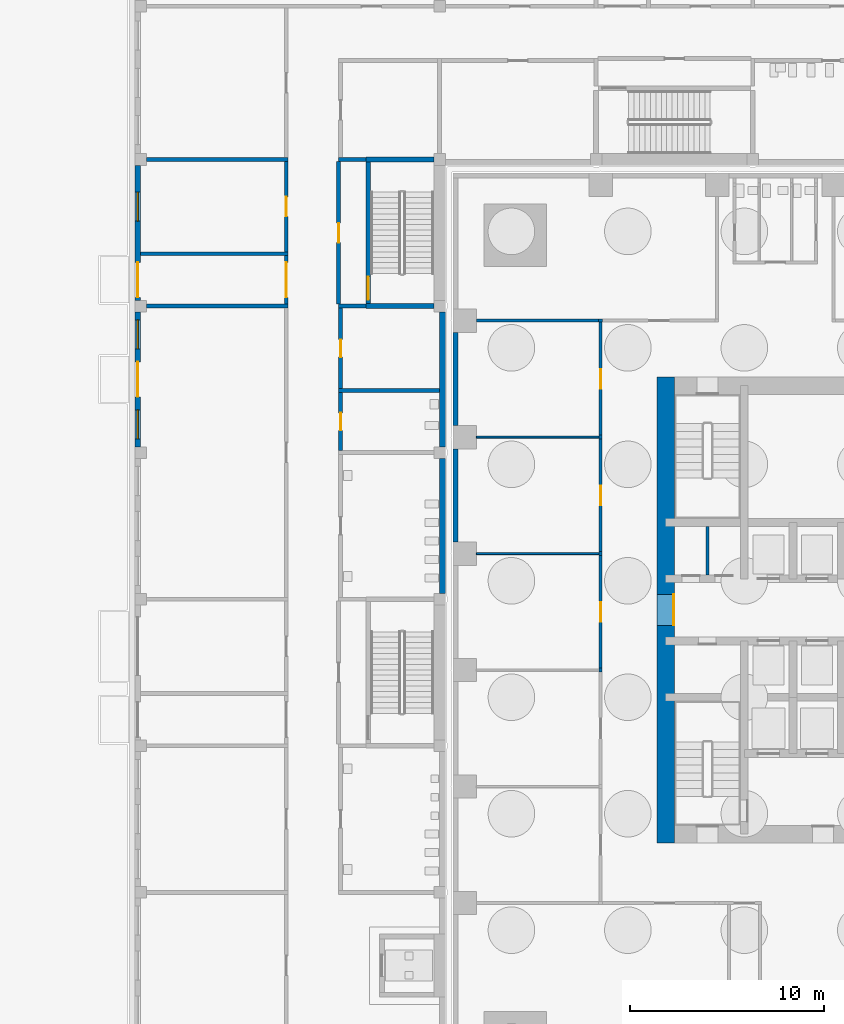
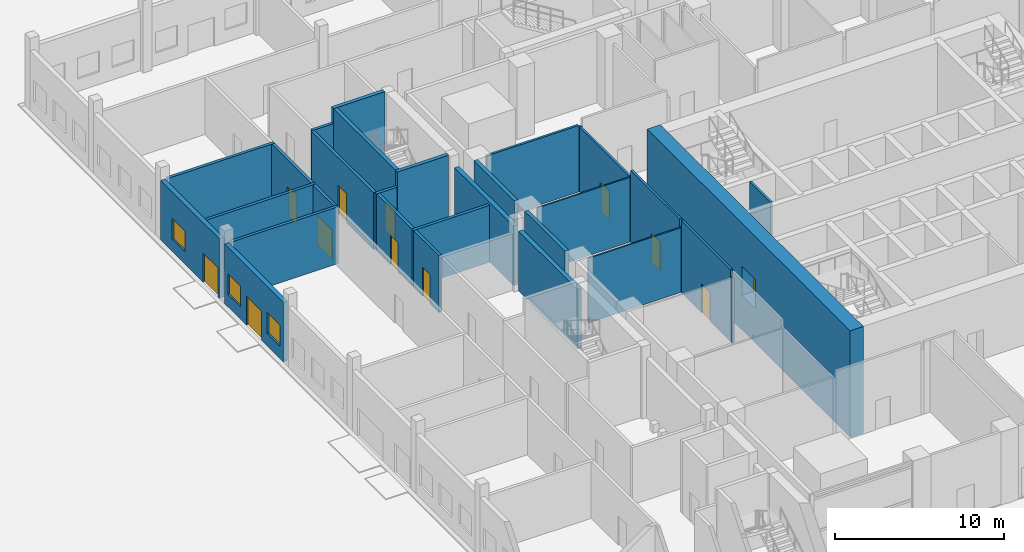
# One storey, part 13 of 33: 32 walls, 12 doors, 3 windows, 15 openings.
"""IFC4 building model written with IfcOpenShell, lengths in metres."""

from ifc_helpers import new_model, si_unit, direction, frame, frame_2d, origin, place, context, subcontext, project, spatial, rectangle, extrude, material, layer, layer_set, type_object, element, fill, save


model = new_model("IFC4")

# Units and contexts
model_context = context("Model", 3, precision=1e-05, world=origin(), true_north=direction((0.0, 1.0)))
body_context = subcontext(model_context, "Body", "Model", "MODEL_VIEW")
ifc_project = project(units=[si_unit("LENGTHUNIT", "METRE"), si_unit("AREAUNIT", "SQUARE_METRE"), si_unit("VOLUMEUNIT", "CUBIC_METRE"), si_unit("PLANEANGLEUNIT", "RADIAN"), si_unit("MASSUNIT", "GRAM", prefix="KILO")], contexts=[model_context])

# Site, building, storey
site_placement = place(None, origin())
site = spatial("IfcSite", under=ifc_project, at=site_placement, CompositionType="ELEMENT")
building_placement = place(site_placement, origin())
building = spatial("IfcBuilding", under=site, at=building_placement, Name="Amberfall Residences", CompositionType="ELEMENT")
storey_placement = place(building_placement, origin())
storey = spatial("IfcBuildingStorey", under=building, at=storey_placement, Name="L00", CompositionType="ELEMENT", Elevation=0.0)

# Wall, opening, door
ifc_material_1 = material(Name="Concrete C80", Category="concrete")
ifc_layer_1 = layer(ifc_material_1, 0.89990234375)
ifc_layer_set_1 = layer_set([ifc_layer_1], Name="Core wall 900 C80")
wall_type_1 = type_object("IfcWallType", Name="Core wall 900 C80", PredefinedType="SHEAR", material=ifc_layer_set_1)
wall_1_placement = place(storey_placement, frame((62.949951171875, 33.5, -2.5), z_axis=(0.0, 0.0, 1.0), x_axis=(0.0, 1.0, 0.0)))
wall_1 = element("IfcWall", 1, at=wall_1_placement, inside=storey, type_object=wall_type_1, Name="Core wall RW1 L00 OW", PredefinedType="SHEAR", context=body_context, shape_type="SweptSolid", body=[
    extrude(rectangle(XDim=24.0, YDim=0.89990234375, at=frame_2d((12.0, 0.0))), origin(), (0.0, 0.0, 1.0), 7.699951171875),
])
opening_1_placement = place(wall_1_placement, frame((11.199951171875, 0.0, 2.5)))
opening_1 = element("IfcOpeningElement", 2, at=opening_1_placement, cuts=wall_1, Name="Opening LB1", PredefinedType="OPENING", context=body_context, shape_type="SweptSolid", body=[
    extrude(rectangle(XDim=1.60009765625, YDim=2.10009765625, at=frame_2d((0.800048828125, 1.050048828125))), frame((0.0, 0.4599609375, 0.0), z_axis=(0.0, -1.0, 0.0), x_axis=(1.0, 0.0, 0.0)), (0.0, 0.0, 1.0), 0.919921875),
])
ifc_material_2 = material(Name="Steel fire door set", Category="steel")
door_type_1 = type_object("IfcDoorType", Name="Lift lobby double door 1600 x 2100", OperationType="DOUBLE_DOOR_SINGLE_SWING", PredefinedType="DOOR", material=ifc_material_2)
door_1_placement = place(opening_1_placement, origin())
door_1 = element("IfcDoor", 3, at=door_1_placement, inside=storey, type_object=door_type_1, Name="LB1 L00", OperationType="DOUBLE_DOOR_SINGLE_SWING", OverallHeight=2.10009765625, OverallWidth=1.60009765625, PredefinedType="DOOR", context=body_context, shape_type="SweptSolid", body=[
    extrude(rectangle(XDim=1.60009765625, YDim=2.10009765625, at=frame_2d((0.800048828125, 1.050048828125))), frame((0.0, -0.3876953125, 0.0), z_axis=(0.0, -1.0, 0.0), x_axis=(1.0, 0.0, 0.0)), (0.0, 0.0, 1.0), 0.050048828125),
])
fill(opening_1, door_1)

# Walls
ifc_material_3 = material(Name="Gypsum board on steel studs", Category="steel")
ifc_layer_2 = layer(ifc_material_3, 0.10009765625)
ifc_layer_set_2 = layer_set([ifc_layer_2], Name="Partition 100")
wall_type_2 = type_object("IfcWallType", Name="Partition 100", PredefinedType="PARTITIONING", material=ifc_layer_set_2)
for number, where, z_axis, x_axis, name in (
    (4, (53.199951171875, 48.39990234375, 0.0), (0.0, 0.0, 1.0), (1.0, 0.0, 0.0), "Partition 100 L00 003"),
    (5, (53.199951171875, 54.39990234375, 0.0), (0.0, 0.0, 1.0), (1.0, 0.0, 0.0), "Partition 100 L00 004"),
):
    element("IfcWall", number, at=place(storey_placement, frame(where, z_axis=z_axis, x_axis=x_axis)), inside=storey, type_object=wall_type_2, Name=name, PredefinedType="PARTITIONING", context=body_context, shape_type="SweptSolid", body=[
        extrude(rectangle(XDim=6.324951171875, YDim=0.10009765625, at=frame_2d((3.16259765625, 0.0))), origin(), (0.0, 0.0, 1.0), 4.6669921875),
    ])
ifc_material_4 = material(Name="Fire-rated gypsum board on steel studs", Category="steel")
ifc_layer_3 = layer(ifc_material_4, 0.14990234375)
ifc_layer_set_3 = layer_set([ifc_layer_3], Name="Partition 150 fire-rated")
wall_type_3 = type_object("IfcWallType", Name="Partition 150 fire-rated", PredefinedType="PARTITIONING", material=ifc_layer_set_3)
wall_2_placement = place(storey_placement, frame((53.199951171875, 60.39990234375, 0.0), z_axis=(0.0, 0.0, 1.0), x_axis=(1.0, 0.0, 0.0)))
element("IfcWall", 6, at=wall_2_placement, inside=storey, type_object=wall_type_3, Name="Partition 150 fire-rated L00 010", PredefinedType="PARTITIONING", context=body_context, shape_type="SweptSolid", body=[
    extrude(rectangle(XDim=6.280029296875, YDim=0.14990234375, at=frame_2d((3.14013671875, 0.0))), origin(), (0.0, 0.0, 1.0), 4.797119140625),
])
wall_3_placement = place(storey_placement, frame((59.49462890625, 60.39990234375, 0.0), z_axis=(0.0, 0.0, 1.0), x_axis=(1.0, 0.0, 0.0)))
element("IfcWall", 7, at=wall_3_placement, inside=storey, type_object=wall_type_3, Name="Partition 150 fire-rated L00 011", PredefinedType="PARTITIONING", context=body_context, shape_type="SweptSolid", body=[
    extrude(rectangle(XDim=0.210693359375, YDim=0.14990234375, at=frame_2d((0.10546875, 0.0))), origin(), (0.0, 0.0, 1.0), 4.659912109375),
])
wall_4_placement = place(storey_placement, frame((59.60009765625, 42.29541015625, 0.0), z_axis=(0.0, 0.0, 1.0), x_axis=(0.0, 1.0, 0.0)))
element("IfcWall", 8, at=wall_4_placement, inside=storey, type_object=wall_type_3, Name="Partition 150 fire-rated L00 026", PredefinedType="PARTITIONING", context=body_context, shape_type="SweptSolid", body=[
    extrude(rectangle(XDim=0.209228515625, YDim=0.14990234375, at=frame_2d((0.1044921875, 0.0))), origin(), (0.0, 0.0, 1.0), 4.6669921875),
])

# Wall, opening, door
wall_5_placement = place(storey_placement, frame((59.60009765625, 42.504638671875, 0.0), z_axis=(0.0, 0.0, 1.0), x_axis=(0.0, 1.0, 0.0)))
wall_5 = element("IfcWall", 9, at=wall_5_placement, inside=storey, type_object=wall_type_3, Name="Partition 150 fire-rated L00 027", PredefinedType="PARTITIONING", context=body_context, shape_type="SweptSolid", body=[
    extrude(rectangle(XDim=5.790771484375, YDim=0.14990234375, at=frame_2d((2.8955078125, 0.0))), origin(), (0.0, 0.0, 1.0), 5.199951171875),
])
opening_2_placement = place(wall_5_placement, frame((2.3955078125, 0.0, 0.0)))
opening_2 = element("IfcOpeningElement", 10, at=opening_2_placement, cuts=wall_5, Name="Opening D2", PredefinedType="OPENING", context=body_context, shape_type="SweptSolid", body=[
    extrude(rectangle(XDim=1.0, YDim=2.10009765625, at=frame_2d((0.5, 1.050048828125))), frame((0.0, 0.0849609375, 0.0), z_axis=(0.0, -1.0, 0.0), x_axis=(1.0, 0.0, 0.0)), (0.0, 0.0, 1.0), 0.169921875),
])
ifc_material_5 = material(Name="Steel fire door leaf", Category="steel")
door_type_2 = type_object("IfcDoorType", Name="Fire door 1000x2100 FD30S", OperationType="SINGLE_SWING_LEFT", PredefinedType="DOOR", material=ifc_material_5)
door_2_placement = place(opening_2_placement, origin())
door_2 = element("IfcDoor", 11, at=door_2_placement, inside=storey, type_object=door_type_2, Name="Door Cleaner's store", OperationType="SINGLE_SWING_LEFT", OverallHeight=2.10009765625, OverallWidth=1.0, PredefinedType="DOOR", context=body_context, shape_type="SweptSolid", body=[
    extrude(rectangle(XDim=1.0, YDim=2.10009765625, at=frame_2d((0.5, 1.050048828125))), frame((0.0, 0.02490234375, 0.0), z_axis=(0.0, -1.0, 0.0), x_axis=(1.0, 0.0, 0.0)), (0.0, 0.0, 1.0), 0.050048828125),
])
fill(opening_2, door_2)

# Wall
wall_6_placement = place(storey_placement, frame((59.60009765625, 48.29541015625, 0.0), z_axis=(0.0, 0.0, 1.0), x_axis=(0.0, 1.0, 0.0)))
element("IfcWall", 12, at=wall_6_placement, inside=storey, type_object=wall_type_3, Name="Partition 150 fire-rated L00 028", PredefinedType="PARTITIONING", context=body_context, shape_type="SweptSolid", body=[
    extrude(rectangle(XDim=0.209228515625, YDim=0.14990234375, at=frame_2d((0.1044921875, 0.0))), origin(), (0.0, 0.0, 1.0), 4.6669921875),
])

# Wall, opening, door
wall_7_placement = place(storey_placement, frame((59.60009765625, 48.504638671875, 0.0), z_axis=(0.0, 0.0, 1.0), x_axis=(0.0, 1.0, 0.0)))
wall_7 = element("IfcWall", 13, at=wall_7_placement, inside=storey, type_object=wall_type_3, Name="Partition 150 fire-rated L00 029", PredefinedType="PARTITIONING", context=body_context, shape_type="SweptSolid", body=[
    extrude(rectangle(XDim=5.790771484375, YDim=0.14990234375, at=frame_2d((2.8955078125, 0.0))), origin(), (0.0, 0.0, 1.0), 5.199951171875),
])
opening_3_placement = place(wall_7_placement, frame((2.3955078125, 0.0, 0.0)))
opening_3 = element("IfcOpeningElement", 14, at=opening_3_placement, cuts=wall_7, Name="Opening D2", PredefinedType="OPENING", context=body_context, shape_type="SweptSolid", body=[
    extrude(rectangle(XDim=1.0, YDim=2.10009765625, at=frame_2d((0.5, 1.050048828125))), frame((0.0, 0.0849609375, 0.0), z_axis=(0.0, -1.0, 0.0), x_axis=(1.0, 0.0, 0.0)), (0.0, 0.0, 1.0), 0.169921875),
])
door_3_placement = place(opening_3_placement, origin())
door_3 = element("IfcDoor", 15, at=door_3_placement, inside=storey, type_object=door_type_2, Name="Door Residents store", OperationType="SINGLE_SWING_LEFT", OverallHeight=2.10009765625, OverallWidth=1.0, PredefinedType="DOOR", context=body_context, shape_type="SweptSolid", body=[
    extrude(rectangle(XDim=1.0, YDim=2.10009765625, at=frame_2d((0.5, 1.050048828125))), frame((0.0, 0.02490234375, 0.0), z_axis=(0.0, -1.0, 0.0), x_axis=(1.0, 0.0, 0.0)), (0.0, 0.0, 1.0), 0.050048828125),
])
fill(opening_3, door_3)

# Wall
wall_8_placement = place(storey_placement, frame((59.60009765625, 54.29541015625, 0.0), z_axis=(0.0, 0.0, 1.0), x_axis=(0.0, 1.0, 0.0)))
element("IfcWall", 16, at=wall_8_placement, inside=storey, type_object=wall_type_3, Name="Partition 150 fire-rated L00 030", PredefinedType="PARTITIONING", context=body_context, shape_type="SweptSolid", body=[
    extrude(rectangle(XDim=0.2041015625, YDim=0.14990234375, at=frame_2d((0.10205078125, 0.0))), origin(), (0.0, 0.0, 1.0), 4.6669921875),
])

# Wall, opening, door
wall_9_placement = place(storey_placement, frame((59.60009765625, 54.504638671875, 0.0), z_axis=(0.0, 0.0, 1.0), x_axis=(0.0, 1.0, 0.0)))
wall_9 = element("IfcWall", 17, at=wall_9_placement, inside=storey, type_object=wall_type_3, Name="Partition 150 fire-rated L00 031", PredefinedType="PARTITIONING", context=body_context, shape_type="SweptSolid", body=[
    extrude(rectangle(XDim=5.8203125, YDim=0.14990234375, at=frame_2d((2.91015625, 0.0))), origin(), (0.0, 0.0, 1.0), 4.659912109375),
])
opening_4_placement = place(wall_9_placement, frame((2.3955078125, 0.0, 0.0)))
opening_4 = element("IfcOpeningElement", 18, at=opening_4_placement, cuts=wall_9, Name="Opening D2", PredefinedType="OPENING", context=body_context, shape_type="SweptSolid", body=[
    extrude(rectangle(XDim=1.0, YDim=2.10009765625, at=frame_2d((0.5, 1.050048828125))), frame((0.0, 0.0849609375, 0.0), z_axis=(0.0, -1.0, 0.0), x_axis=(1.0, 0.0, 0.0)), (0.0, 0.0, 1.0), 0.169921875),
])
door_4_placement = place(opening_4_placement, origin())
door_4 = element("IfcDoor", 19, at=door_4_placement, inside=storey, type_object=door_type_2, Name="Door Bin store", OperationType="SINGLE_SWING_LEFT", OverallHeight=2.10009765625, OverallWidth=1.0, PredefinedType="DOOR", context=body_context, shape_type="SweptSolid", body=[
    extrude(rectangle(XDim=1.0, YDim=2.10009765625, at=frame_2d((0.5, 1.050048828125))), frame((0.0, 0.02490234375, 0.0), z_axis=(0.0, -1.0, 0.0), x_axis=(1.0, 0.0, 0.0)), (0.0, 0.0, 1.0), 0.050048828125),
])
fill(opening_4, door_4)

# Walls
ifc_material_6 = material(Name="Precast concrete C40", Category="concrete")
ifc_layer_4 = layer(ifc_material_6, 0.25)
ifc_layer_set_4 = layer_set([ifc_layer_4], Name="Podium external wall 250")
wall_type_4 = type_object("IfcWallType", Name="Podium external wall 250", PredefinedType="SOLIDWALL", material=ifc_layer_set_4)
for number, where, z_axis, x_axis, name in (
    (20, (52.125, 49.0, 0.0), (0.0, 0.0, 1.0), (0.0, 1.0, 0.0), "Podium external wall W5"),
    (21, (52.125, 55.0, 0.0), (0.0, 0.0, 1.0), (0.0, 1.0, 0.0), "Podium external wall W6"),
):
    element("IfcWall", number, at=place(storey_placement, frame(where, z_axis=z_axis, x_axis=x_axis)), inside=storey, type_object=wall_type_4, Name=name, PredefinedType="SOLIDWALL", context=body_context, shape_type="SweptSolid", body=[
        extrude(rectangle(XDim=4.800048828125, YDim=0.25, at=frame_2d((2.39990234375, 0.0))), origin(), (0.0, 0.0, 1.0), 5.199951171875),
    ])
ifc_material_7 = material(Name="Concrete blockwork", Category="masonry")
ifc_layer_5 = layer(ifc_material_7, 0.14990234375)
ifc_layer_set_5 = layer_set([ifc_layer_5], Name="Riser wall 150")
wall_type_5 = type_object("IfcWallType", Name="Riser wall 150", PredefinedType="PLUMBINGWALL", material=ifc_layer_set_5)
wall_10_placement = place(storey_placement, frame((65.10009765625, 47.300048828125, 0.0), z_axis=(0.0, 0.0, 1.0), x_axis=(0.0, 1.0, 0.0)))
element("IfcWall", 22, at=wall_10_placement, inside=storey, type_object=wall_type_5, Name="L00 core wall ANW0", PredefinedType="PLUMBINGWALL", context=body_context, shape_type="SweptSolid", body=[
    extrude(rectangle(XDim=2.5, YDim=0.14990234375, at=frame_2d((1.25, 0.0))), origin(), (0.0, 0.0, 1.0), 5.199951171875),
])

# Wall, openings, door, windows
ifc_material_8 = material(Name="Aerated block wall")
ifc_layer_6 = layer(ifc_material_8, 0.300048828125)
ifc_layer_set_6 = layer_set([ifc_layer_6], Name="School external wall 300")
wall_type_6 = type_object("IfcWallType", Name="School external wall 300", PredefinedType="SOLIDWALL", material=ifc_layer_set_6)
wall_11_placement = place(storey_placement, frame((35.75, 53.89990234375, 0.0), z_axis=(0.0, 0.0, 1.0), x_axis=(0.0, 1.0, 0.0)))
wall_11 = element("IfcWall", 23, at=wall_11_placement, inside=storey, type_object=wall_type_6, Name="School external wall L00 EW6", PredefinedType="SOLIDWALL", context=body_context, shape_type="SweptSolid", body=[
    extrude(rectangle(XDim=6.9501953125, YDim=0.300048828125, at=frame_2d((3.47509765625, 0.0))), origin(), (0.0, 0.0, 1.0), 4.300048828125),
])
opening_5_placement = place(wall_11_placement, frame((2.574951171875, 0.0, 0.0)))
opening_5 = element("IfcOpeningElement", 24, at=opening_5_placement, cuts=wall_11, Name="Opening SD3", PredefinedType="OPENING", context=body_context, shape_type="SweptSolid", body=[
    extrude(rectangle(XDim=1.800048828125, YDim=2.10009765625, at=frame_2d((0.89990234375, 1.050048828125))), frame((0.0, 0.159912109375, 0.0), z_axis=(0.0, -1.0, 0.0), x_axis=(1.0, 0.0, 0.0)), (0.0, 0.0, 1.0), 0.320068359375),
])
opening_6_placement = place(wall_11_placement, frame((0.408203125, 0.0, 0.89990234375)))
opening_6 = element("IfcOpeningElement", 25, at=opening_6_placement, cuts=wall_11, Name="Opening SWN1", PredefinedType="OPENING", context=body_context, shape_type="SweptSolid", body=[
    extrude(rectangle(XDim=1.5, YDim=1.5, at=frame_2d((0.75, 0.75))), frame((0.0, 0.159912109375, 0.0), z_axis=(0.0, -1.0, 0.0), x_axis=(1.0, 0.0, 0.0)), (0.0, 0.0, 1.0), 0.320068359375),
])
opening_7_placement = place(wall_11_placement, frame((5.041748046875, 0.0, 0.89990234375)))
opening_7 = element("IfcOpeningElement", 26, at=opening_7_placement, cuts=wall_11, Name="Opening SWN1", PredefinedType="OPENING", context=body_context, shape_type="SweptSolid", body=[
    extrude(rectangle(XDim=1.5, YDim=1.5, at=frame_2d((0.75, 0.75))), frame((0.0, 0.159912109375, 0.0), z_axis=(0.0, -1.0, 0.0), x_axis=(1.0, 0.0, 0.0)), (0.0, 0.0, 1.0), 0.320068359375),
])
ifc_material_9 = material(Name="Timber door", Category="wood")
door_type_3 = type_object("IfcDoorType", Name="School double door 1800 x 2100", OperationType="DOUBLE_DOOR_SINGLE_SWING", PredefinedType="DOOR", material=ifc_material_9)
door_5_placement = place(opening_5_placement, origin())
door_5 = element("IfcDoor", 27, at=door_5_placement, inside=storey, type_object=door_type_3, Name="School door L00 EW6-1", OperationType="DOUBLE_DOOR_SINGLE_SWING", OverallHeight=2.10009765625, OverallWidth=1.800048828125, PredefinedType="DOOR", context=body_context, shape_type="SweptSolid", body=[
    extrude(rectangle(XDim=1.800048828125, YDim=2.10009765625, at=frame_2d((0.89990234375, 1.050048828125))), frame((0.0, 0.02490234375, 0.0), z_axis=(0.0, -1.0, 0.0), x_axis=(1.0, 0.0, 0.0)), (0.0, 0.0, 1.0), 0.050048828125),
])
fill(opening_5, door_5)
ifc_material_10 = material(Name="Aluminium window", Category="aluminium")
window_type = type_object("IfcWindowType", Name="School window 1500 x 1500", PartitioningType="DOUBLE_PANEL_HORIZONTAL", PredefinedType="WINDOW", material=ifc_material_10)
window_1_placement = place(opening_6_placement, origin())
window_1 = element("IfcWindow", 28, at=window_1_placement, inside=storey, type_object=window_type, Name="School window L00 EW6-1", OverallHeight=1.5, OverallWidth=1.5, PartitioningType="DOUBLE_PANEL_HORIZONTAL", PredefinedType="WINDOW", context=body_context, shape_type="SweptSolid", body=[
    extrude(rectangle(XDim=1.5, YDim=1.5, at=frame_2d((0.75, 0.75))), frame((0.0, 0.030029296875, 0.0), z_axis=(0.0, -1.0, 0.0), x_axis=(1.0, 0.0, 0.0)), (0.0, 0.0, 1.0), 0.06005859375),
])
fill(opening_6, window_1)
window_2_placement = place(opening_7_placement, origin())
window_2 = element("IfcWindow", 29, at=window_2_placement, inside=storey, type_object=window_type, Name="School window L00 EW6-2", OverallHeight=1.5, OverallWidth=1.5, PartitioningType="DOUBLE_PANEL_HORIZONTAL", PredefinedType="WINDOW", context=body_context, shape_type="SweptSolid", body=[
    extrude(rectangle(XDim=1.5, YDim=1.5, at=frame_2d((0.75, 0.75))), frame((0.0, 0.030029296875, 0.0), z_axis=(0.0, -1.0, 0.0), x_axis=(1.0, 0.0, 0.0)), (0.0, 0.0, 1.0), 0.06005859375),
])
fill(opening_7, window_2)

# Wall, openings, door, window
wall_12_placement = place(storey_placement, frame((35.75, 61.449951171875, 0.0), z_axis=(0.0, 0.0, 1.0), x_axis=(0.0, 1.0, 0.0)))
wall_12 = element("IfcWall", 30, at=wall_12_placement, inside=storey, type_object=wall_type_6, Name="School external wall L00 EW7", PredefinedType="SOLIDWALL", context=body_context, shape_type="SweptSolid", body=[
    extrude(rectangle(XDim=6.949951171875, YDim=0.300048828125, at=frame_2d((3.47509765625, 0.0))), origin(), (0.0, 0.0, 1.0), 4.300048828125),
])
opening_8_placement = place(wall_12_placement, frame((0.14990234375, 0.0, 0.0)))
opening_8 = element("IfcOpeningElement", 31, at=opening_8_placement, cuts=wall_12, Name="Opening SD3", PredefinedType="OPENING", context=body_context, shape_type="SweptSolid", body=[
    extrude(rectangle(XDim=1.800048828125, YDim=2.10009765625, at=frame_2d((0.89990234375, 1.050048828125))), frame((0.0, 0.159912109375, 0.0), z_axis=(0.0, -1.0, 0.0), x_axis=(1.0, 0.0, 0.0)), (0.0, 0.0, 1.0), 0.320068359375),
])
opening_9_placement = place(wall_12_placement, frame((4.074951171875, 0.0, 0.89990234375)))
opening_9 = element("IfcOpeningElement", 32, at=opening_9_placement, cuts=wall_12, Name="Opening SWN1", PredefinedType="OPENING", context=body_context, shape_type="SweptSolid", body=[
    extrude(rectangle(XDim=1.5, YDim=1.5, at=frame_2d((0.75, 0.75))), frame((0.0, 0.159912109375, 0.0), z_axis=(0.0, -1.0, 0.0), x_axis=(1.0, 0.0, 0.0)), (0.0, 0.0, 1.0), 0.320068359375),
])
door_6_placement = place(opening_8_placement, origin())
door_6 = element("IfcDoor", 33, at=door_6_placement, inside=storey, type_object=door_type_3, Name="School door L00 EW7-1", OperationType="DOUBLE_DOOR_SINGLE_SWING", OverallHeight=2.10009765625, OverallWidth=1.800048828125, PredefinedType="DOOR", context=body_context, shape_type="SweptSolid", body=[
    extrude(rectangle(XDim=1.800048828125, YDim=2.10009765625, at=frame_2d((0.89990234375, 1.050048828125))), frame((0.0, 0.02490234375, 0.0), z_axis=(0.0, -1.0, 0.0), x_axis=(1.0, 0.0, 0.0)), (0.0, 0.0, 1.0), 0.050048828125),
])
fill(opening_8, door_6)
window_3_placement = place(opening_9_placement, origin())
window_3 = element("IfcWindow", 34, at=window_3_placement, inside=storey, type_object=window_type, Name="School window L00 EW7-1", OverallHeight=1.5, OverallWidth=1.5, PartitioningType="DOUBLE_PANEL_HORIZONTAL", PredefinedType="WINDOW", context=body_context, shape_type="SweptSolid", body=[
    extrude(rectangle(XDim=1.5, YDim=1.5, at=frame_2d((0.75, 0.75))), frame((0.0, 0.030029296875, 0.0), z_axis=(0.0, -1.0, 0.0), x_axis=(1.0, 0.0, 0.0)), (0.0, 0.0, 1.0), 0.06005859375),
])
fill(opening_9, window_3)

# Walls
wall_13_placement = place(storey_placement, frame((51.449951171875, 46.35009765625, 0.0), z_axis=(0.0, 0.0, 1.0), x_axis=(0.0, 1.0, 0.0)))
element("IfcWall", 35, at=wall_13_placement, inside=storey, type_object=wall_type_6, Name="School external wall L00 ET5", PredefinedType="SOLIDWALL", context=body_context, shape_type="SweptSolid", body=[
    extrude(rectangle(XDim=6.949951171875, YDim=0.300048828125, at=frame_2d((3.47509765625, 0.0))), origin(), (0.0, 0.0, 1.0), 4.300048828125),
])
wall_14_placement = place(storey_placement, frame((51.449951171875, 53.89990234375, 0.0), z_axis=(0.0, 0.0, 1.0), x_axis=(0.0, 1.0, 0.0)))
element("IfcWall", 36, at=wall_14_placement, inside=storey, type_object=wall_type_6, Name="School external wall L00 ET6", PredefinedType="SOLIDWALL", context=body_context, shape_type="SweptSolid", body=[
    extrude(rectangle(XDim=6.9501953125, YDim=0.300048828125, at=frame_2d((3.47509765625, 0.0))), origin(), (0.0, 0.0, 1.0), 4.300048828125),
])

# Wall, opening, door
ifc_layer_7 = layer(ifc_material_8, 0.199951171875)
ifc_layer_set_7 = layer_set([ifc_layer_7], Name="School partition 200")
wall_type_7 = type_object("IfcWallType", Name="School partition 200", PredefinedType="PARTITIONING", material=ifc_layer_set_7)
wall_15_placement = place(storey_placement, frame((43.39990234375, 63.949951171875, 0.0), z_axis=(0.0, 0.0, 1.0), x_axis=(0.0, 1.0, 0.0)))
wall_15 = element("IfcWall", 37, at=wall_15_placement, inside=storey, type_object=wall_type_7, Name="School partition L00 CWW7", PredefinedType="PARTITIONING", context=body_context, shape_type="SweptSolid", body=[
    extrude(rectangle(XDim=4.650146484375, YDim=0.199951171875, at=frame_2d((2.3251953125, 0.0))), origin(), (0.0, 0.0, 1.0), 4.10009765625),
])
opening_10_placement = place(wall_15_placement, frame((1.824951171875, 0.0, 0.0)))
opening_10 = element("IfcOpeningElement", 38, at=opening_10_placement, cuts=wall_15, Name="Opening SD5", PredefinedType="OPENING", context=body_context, shape_type="SweptSolid", body=[
    extrude(rectangle(XDim=1.0, YDim=2.10009765625, at=frame_2d((0.5, 1.050048828125))), frame((0.0, 0.10986328125, 0.0), z_axis=(0.0, -1.0, 0.0), x_axis=(1.0, 0.0, 0.0)), (0.0, 0.0, 1.0), 0.219970703125),
])
door_type_4 = type_object("IfcDoorType", Name="School classroom door 1000 x 2100", OperationType="SINGLE_SWING_LEFT", PredefinedType="DOOR", material=ifc_material_9)
door_7_placement = place(opening_10_placement, origin())
door_7 = element("IfcDoor", 39, at=door_7_placement, inside=storey, type_object=door_type_4, Name="School door L00 CWW7-1", OperationType="SINGLE_SWING_LEFT", OverallHeight=2.10009765625, OverallWidth=1.0, PredefinedType="DOOR", context=body_context, shape_type="SweptSolid", body=[
    extrude(rectangle(XDim=1.0, YDim=2.10009765625, at=frame_2d((0.5, 1.050048828125))), frame((0.0, 0.02490234375, 0.0), z_axis=(0.0, -1.0, 0.0), x_axis=(1.0, 0.0, 0.0)), (0.0, 0.0, 1.0), 0.050048828125),
])
fill(opening_10, door_7)

# Walls
wall_16_placement = place(storey_placement, frame((36.199951171875, 61.14990234375, 0.0), z_axis=(0.0, 0.0, 1.0), x_axis=(1.0, 0.0, 0.0)))
element("IfcWall", 40, at=wall_16_placement, inside=storey, type_object=wall_type_7, Name="School partition L00 PW6115", PredefinedType="PARTITIONING", context=body_context, shape_type="SweptSolid", body=[
    extrude(rectangle(XDim=7.300048828125, YDim=0.199951171875, at=frame_2d((3.64990234375, 0.0))), origin(), (0.0, 0.0, 1.0), 4.10009765625),
])
wall_17_placement = place(storey_placement, frame((35.89990234375, 63.85009765625, 0.0), z_axis=(0.0, 0.0, 1.0), x_axis=(1.0, 0.0, 0.0)))
element("IfcWall", 41, at=wall_17_placement, inside=storey, type_object=wall_type_7, Name="School partition L00 PW6385", PredefinedType="PARTITIONING", context=body_context, shape_type="SweptSolid", body=[
    extrude(rectangle(XDim=7.60009765625, YDim=0.199951171875, at=frame_2d((3.800048828125, 0.0))), origin(), (0.0, 0.0, 1.0), 4.10009765625),
])
wall_18_placement = place(storey_placement, frame((36.199951171875, 68.699951171875, 0.0), z_axis=(0.0, 0.0, 1.0), x_axis=(1.0, 0.0, 0.0)))
element("IfcWall", 42, at=wall_18_placement, inside=storey, type_object=wall_type_7, Name="School partition L00 PW6870", PredefinedType="PARTITIONING", context=body_context, shape_type="SweptSolid", body=[
    extrude(rectangle(XDim=7.300048828125, YDim=0.199951171875, at=frame_2d((3.64990234375, 0.0))), origin(), (0.0, 0.0, 1.0), 4.10009765625),
])

# Wall, opening, door
wall_19_placement = place(storey_placement, frame((46.199951171875, 53.699951171875, 0.0), z_axis=(0.0, 0.0, 1.0), x_axis=(0.0, 1.0, 0.0)))
wall_19 = element("IfcWall", 43, at=wall_19_placement, inside=storey, type_object=wall_type_7, Name="School partition L00 CWE654", PredefinedType="PARTITIONING", context=body_context, shape_type="SweptSolid", body=[
    extrude(rectangle(XDim=3.0, YDim=0.199951171875, at=frame_2d((1.5, 0.0))), origin(), (0.0, 0.0, 1.0), 4.10009765625),
])
opening_11_placement = place(wall_19_placement, frame((1.050048828125, 0.0, 0.0)))
opening_11 = element("IfcOpeningElement", 44, at=opening_11_placement, cuts=wall_19, Name="Opening SD2", PredefinedType="OPENING", context=body_context, shape_type="SweptSolid", body=[
    extrude(rectangle(XDim=0.89990234375, YDim=2.10009765625, at=frame_2d((0.449951171875, 1.050048828125))), frame((0.0, 0.10986328125, 0.0), z_axis=(0.0, -1.0, 0.0), x_axis=(1.0, 0.0, 0.0)), (0.0, 0.0, 1.0), 0.219970703125),
])
door_type_5 = type_object("IfcDoorType", Name="School WC door 900 x 2100", OperationType="SINGLE_SWING_LEFT", PredefinedType="DOOR", material=ifc_material_9)
door_8_placement = place(opening_11_placement, origin())
door_8 = element("IfcDoor", 45, at=door_8_placement, inside=storey, type_object=door_type_5, Name="School door L00 CWE654-1", OperationType="SINGLE_SWING_LEFT", OverallHeight=2.10009765625, OverallWidth=0.89990234375, PredefinedType="DOOR", context=body_context, shape_type="SweptSolid", body=[
    extrude(rectangle(XDim=0.89990234375, YDim=2.10009765625, at=frame_2d((0.449951171875, 1.050048828125))), frame((0.0, 0.02490234375, 0.0), z_axis=(0.0, -1.0, 0.0), x_axis=(1.0, 0.0, 0.0)), (0.0, 0.0, 1.0), 0.050048828125),
])
fill(opening_11, door_8)

wall_20_placement = place(storey_placement, frame((46.199951171875, 56.89990234375, 0.0), z_axis=(0.0, 0.0, 1.0), x_axis=(0.0, 1.0, 0.0)))
wall_20 = element("IfcWall", 46, at=wall_20_placement, inside=storey, type_object=wall_type_7, Name="School partition L00 CWE657", PredefinedType="PARTITIONING", context=body_context, shape_type="SweptSolid", body=[
    extrude(rectangle(XDim=4.150146484375, YDim=0.199951171875, at=frame_2d((2.0751953125, 0.0))), origin(), (0.0, 0.0, 1.0), 4.10009765625),
])
opening_12_placement = place(wall_20_placement, frame((1.625, 0.0, 0.0)))
opening_12 = element("IfcOpeningElement", 47, at=opening_12_placement, cuts=wall_20, Name="Opening SD2", PredefinedType="OPENING", context=body_context, shape_type="SweptSolid", body=[
    extrude(rectangle(XDim=0.89990234375, YDim=2.10009765625, at=frame_2d((0.449951171875, 1.050048828125))), frame((0.0, 0.10986328125, 0.0), z_axis=(0.0, -1.0, 0.0), x_axis=(1.0, 0.0, 0.0)), (0.0, 0.0, 1.0), 0.219970703125),
])
door_9_placement = place(opening_12_placement, origin())
door_9 = element("IfcDoor", 48, at=door_9_placement, inside=storey, type_object=door_type_5, Name="School door L00 CWE657-1", OperationType="SINGLE_SWING_LEFT", OverallHeight=2.10009765625, OverallWidth=0.89990234375, PredefinedType="DOOR", context=body_context, shape_type="SweptSolid", body=[
    extrude(rectangle(XDim=0.89990234375, YDim=2.10009765625, at=frame_2d((0.449951171875, 1.050048828125))), frame((0.0, 0.02490234375, 0.0), z_axis=(0.0, -1.0, 0.0), x_axis=(1.0, 0.0, 0.0)), (0.0, 0.0, 1.0), 0.050048828125),
])
fill(opening_12, door_9)

# Walls
for number, where, z_axis, x_axis, name in (
    (49, (46.10009765625, 61.14990234375, 0.0), (0.0, 0.0, 1.0), (1.0, 0.0, 0.0), "School partition L00 PEA7"),
    (50, (46.10009765625, 68.699951171875, 0.0), (0.0, 0.0, 1.0), (1.0, 0.0, 0.0), "School partition L00 PEA8"),
):
    element("IfcWall", number, at=place(storey_placement, frame(where, z_axis=z_axis, x_axis=x_axis)), inside=storey, type_object=wall_type_7, Name=name, PredefinedType="PARTITIONING", context=body_context, shape_type="SweptSolid", body=[
        extrude(rectangle(XDim=1.39990234375, YDim=0.199951171875, at=frame_2d((0.699951171875, 0.0))), origin(), (0.0, 0.0, 1.0), 4.10009765625),
    ])
wall_21_placement = place(storey_placement, frame((46.10009765625, 56.800048828125, 0.0), z_axis=(0.0, 0.0, 1.0), x_axis=(1.0, 0.0, 0.0)))
element("IfcWall", 51, at=wall_21_placement, inside=storey, type_object=wall_type_7, Name="School partition L00 PE6x", PredefinedType="PARTITIONING", context=body_context, shape_type="SweptSolid", body=[
    extrude(rectangle(XDim=5.199951171875, YDim=0.199951171875, at=frame_2d((2.60009765625, 0.0))), origin(), (0.0, 0.0, 1.0), 4.10009765625),
])

# Wall, opening, door
wall_22_placement = place(storey_placement, frame((46.10009765625, 61.25, 0.0), z_axis=(0.0, 0.0, 1.0), x_axis=(0.0, 1.0, 0.0)))
wall_22 = element("IfcWall", 52, at=wall_22_placement, inside=storey, type_object=wall_type_7, Name="School partition L00 CWLSS3", PredefinedType="PARTITIONING", context=body_context, shape_type="SweptSolid", body=[
    extrude(rectangle(XDim=7.35009765625, YDim=0.199951171875, at=frame_2d((3.675048828125, 0.0))), origin(), (0.0, 0.0, 1.0), 4.10009765625),
])
opening_13_placement = place(wall_22_placement, frame((3.175048828125, 0.0, 0.0)))
opening_13 = element("IfcOpeningElement", 53, at=opening_13_placement, cuts=wall_22, Name="Opening SD8", PredefinedType="OPENING", context=body_context, shape_type="SweptSolid", body=[
    extrude(rectangle(XDim=1.0, YDim=2.10009765625, at=frame_2d((0.5, 1.050048828125))), frame((0.0, 0.10986328125, 0.0), z_axis=(0.0, -1.0, 0.0), x_axis=(1.0, 0.0, 0.0)), (0.0, 0.0, 1.0), 0.219970703125),
])
door_type_6 = type_object("IfcDoorType", Name="School lobby door 1000 x 2100", OperationType="SINGLE_SWING_LEFT", PredefinedType="DOOR", material=ifc_material_9)
door_10_placement = place(opening_13_placement, origin())
door_10 = element("IfcDoor", 54, at=door_10_placement, inside=storey, type_object=door_type_6, Name="School door L00 CWLSS3-1", OperationType="SINGLE_SWING_LEFT", OverallHeight=2.10009765625, OverallWidth=1.0, PredefinedType="DOOR", context=body_context, shape_type="SweptSolid", body=[
    extrude(rectangle(XDim=1.0, YDim=2.10009765625, at=frame_2d((0.5, 1.050048828125))), frame((0.0, 0.02490234375, 0.0), z_axis=(0.0, -1.0, 0.0), x_axis=(1.0, 0.0, 0.0)), (0.0, 0.0, 1.0), 0.050048828125),
])
fill(opening_13, door_10)

wall_23_placement = place(storey_placement, frame((43.39990234375, 61.25, 0.0), z_axis=(0.0, 0.0, 1.0), x_axis=(0.0, 1.0, 0.0)))
wall_23 = element("IfcWall", 55, at=wall_23_placement, inside=storey, type_object=wall_type_7, Name="School partition L00 CWP7", PredefinedType="PARTITIONING", context=body_context, shape_type="SweptSolid", body=[
    extrude(rectangle(XDim=2.5, YDim=0.199951171875, at=frame_2d((1.25, 0.0))), origin(), (0.0, 0.0, 1.0), 4.10009765625),
])
opening_14_placement = place(wall_23_placement, frame((0.35009765625, 0.0, 0.0)))
opening_14 = element("IfcOpeningElement", 56, at=opening_14_placement, cuts=wall_23, Name="Opening SD9", PredefinedType="OPENING", context=body_context, shape_type="SweptSolid", body=[
    extrude(rectangle(XDim=1.800048828125, YDim=2.10009765625, at=frame_2d((0.89990234375, 1.050048828125))), frame((0.0, 0.10986328125, 0.0), z_axis=(0.0, -1.0, 0.0), x_axis=(1.0, 0.0, 0.0)), (0.0, 0.0, 1.0), 0.219970703125),
])
ifc_material_11 = material(Name="Timber fire door", Category="wood")
door_type_7 = type_object("IfcDoorType", Name="School fire double door 1800 x 2100", OperationType="DOUBLE_DOOR_SINGLE_SWING", PredefinedType="DOOR", material=ifc_material_11)
door_11_placement = place(opening_14_placement, origin())
door_11 = element("IfcDoor", 57, at=door_11_placement, inside=storey, type_object=door_type_7, Name="School door L00 CWP7-1", OperationType="DOUBLE_DOOR_SINGLE_SWING", OverallHeight=2.10009765625, OverallWidth=1.800048828125, PredefinedType="DOOR", context=body_context, shape_type="SweptSolid", body=[
    extrude(rectangle(XDim=1.800048828125, YDim=2.10009765625, at=frame_2d((0.89990234375, 1.050048828125))), frame((0.0, 0.02490234375, 0.0), z_axis=(0.0, -1.0, 0.0), x_axis=(1.0, 0.0, 0.0)), (0.0, 0.0, 1.0), 0.050048828125),
])
fill(opening_14, door_11)

ifc_material_12 = material(Name="Concrete C50", Category="concrete")
ifc_layer_8 = layer(ifc_material_12, 0.25)
ifc_layer_set_8 = layer_set([ifc_layer_8], Name="School stair core wall 250 C50")
wall_type_8 = type_object("IfcWallType", Name="School stair core wall 250 C50", PredefinedType="SHEAR", material=ifc_layer_set_8)
wall_24_placement = place(storey_placement, frame((47.625, 61.27490234375, -0.300048828125), z_axis=(0.0, 0.0, 1.0), x_axis=(0.0, 1.0, 0.0)))
wall_24 = element("IfcWall", 58, at=wall_24_placement, inside=storey, type_object=wall_type_8, Name="School core wall L00 SS3W", PredefinedType="SHEAR", context=body_context, shape_type="SweptSolid", body=[
    extrude(rectangle(XDim=7.300048828125, YDim=0.25, at=frame_2d((3.64990234375, 0.0))), origin(), (0.0, 0.0, 1.0), 5.5),
])
opening_15_placement = place(wall_24_placement, frame((0.199951171875, 0.0, 0.300048828125)))
opening_15 = element("IfcOpeningElement", 59, at=opening_15_placement, cuts=wall_24, Name="Opening SD4", PredefinedType="OPENING", context=body_context, shape_type="SweptSolid", body=[
    extrude(rectangle(XDim=1.199951171875, YDim=2.10009765625, at=frame_2d((0.60009765625, 1.050048828125))), frame((0.0, 0.135009765625, 0.0), z_axis=(0.0, -1.0, 0.0), x_axis=(1.0, 0.0, 0.0)), (0.0, 0.0, 1.0), 0.27001953125),
])
ifc_material_13 = material(Name="Steel fire door", Category="steel")
door_type_8 = type_object("IfcDoorType", Name="School stair door 1200 x 2100 FD120", OperationType="SINGLE_SWING_LEFT", PredefinedType="DOOR", material=ifc_material_13)
door_12_placement = place(opening_15_placement, origin())
door_12 = element("IfcDoor", 60, at=door_12_placement, inside=storey, type_object=door_type_8, Name="School stair door L00 SS3", OperationType="SINGLE_SWING_LEFT", OverallHeight=2.10009765625, OverallWidth=1.199951171875, PredefinedType="DOOR", context=body_context, shape_type="SweptSolid", body=[
    extrude(rectangle(XDim=1.199951171875, YDim=2.10009765625, at=frame_2d((0.60009765625, 1.050048828125))), frame((0.0, 0.02490234375, 0.0), z_axis=(0.0, -1.0, 0.0), x_axis=(1.0, 0.0, 0.0)), (0.0, 0.0, 1.0), 0.050048828125),
])
fill(opening_15, door_12)

# Walls
for number, where, z_axis, x_axis, name in (
    (61, (47.5, 61.14990234375, -0.300048828125), (0.0, 0.0, 1.0), (1.0, 0.0, 0.0), "School core wall L00 SS3S"),
    (62, (47.5, 68.699951171875, -0.300048828125), (0.0, 0.0, 1.0), (1.0, 0.0, 0.0), "School core wall L00 SS3N"),
):
    element("IfcWall", number, at=place(storey_placement, frame(where, z_axis=z_axis, x_axis=x_axis)), inside=storey, type_object=wall_type_8, Name=name, PredefinedType="SHEAR", context=body_context, shape_type="SweptSolid", body=[
        extrude(rectangle(XDim=3.5, YDim=0.25, at=frame_2d((1.75, 0.0))), origin(), (0.0, 0.0, 1.0), 5.5),
    ])

save(model, "model.ifc")
